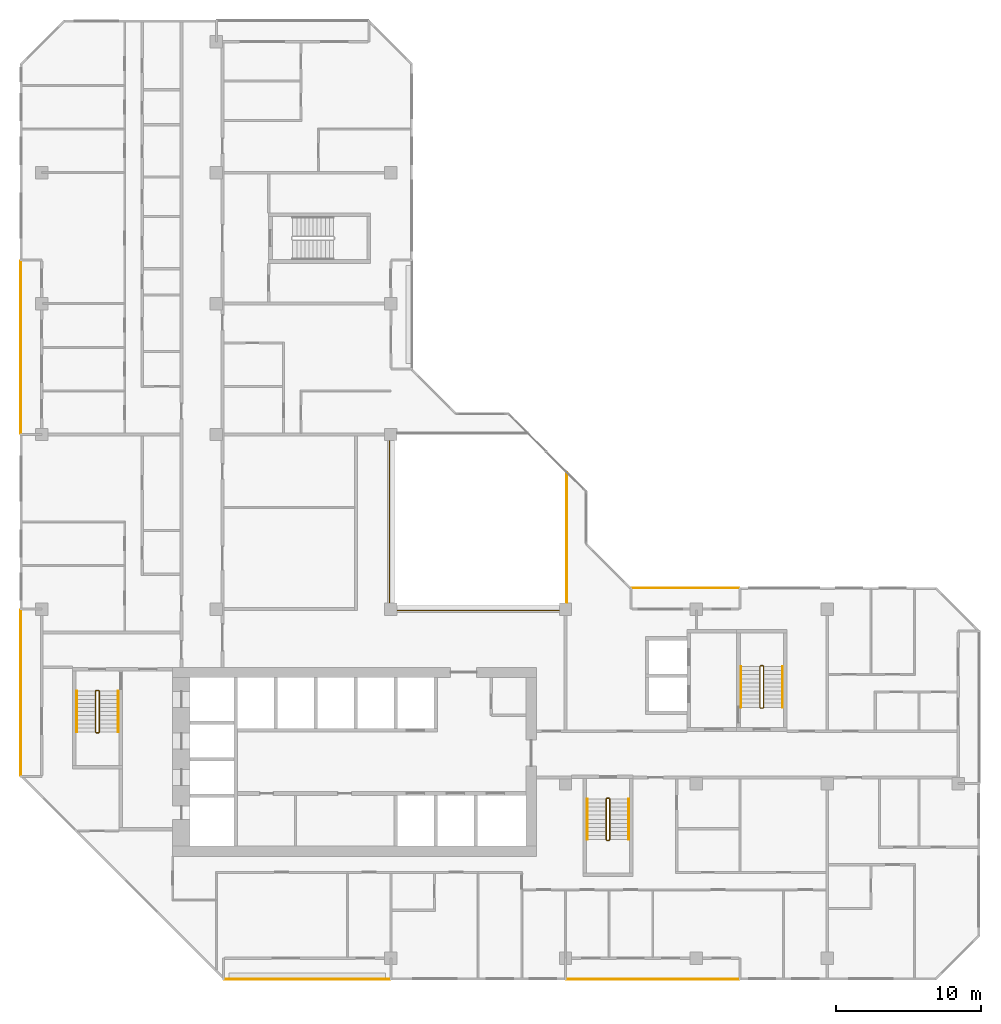
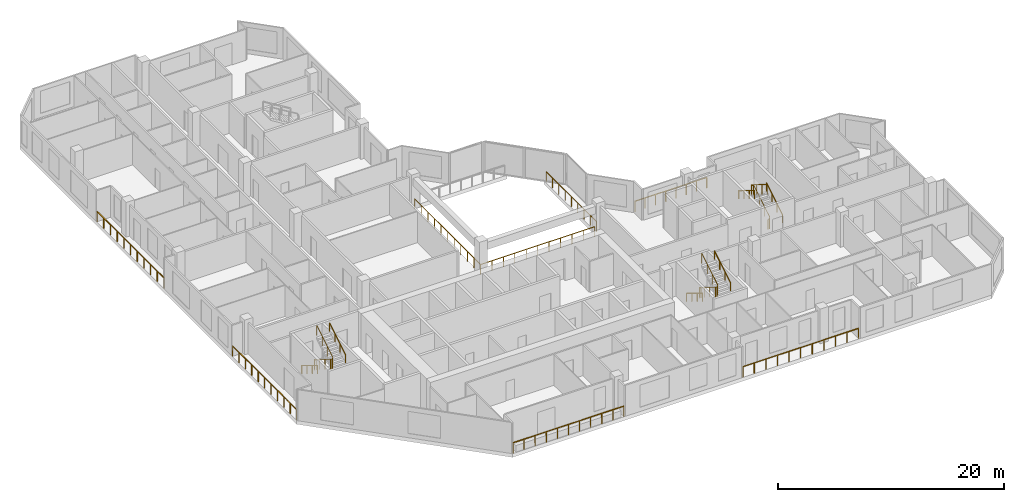
# One storey, part 13 of 14: 16 railings.
"""IFC4 building model written with IfcOpenShell, lengths in metres."""

from ifc_helpers import new_model, si_unit, direction, frame, origin, origin_2d, place, context, subcontext, project, spatial, rectangle, extrude, material, type_object, element, save


model = new_model("IFC4")

# Units and contexts
model_context = context("Model", 3, precision=1e-05, world=origin(), true_north=direction((0.0, 1.0)))
body_context = subcontext(model_context, "Body", "Model", "MODEL_VIEW")
ifc_project = project(units=[si_unit("LENGTHUNIT", "METRE"), si_unit("AREAUNIT", "SQUARE_METRE"), si_unit("VOLUMEUNIT", "CUBIC_METRE"), si_unit("PLANEANGLEUNIT", "RADIAN"), si_unit("MASSUNIT", "GRAM", prefix="KILO")], contexts=[model_context])

# Site, building, storey
site_placement = place(None, origin())
site = spatial("IfcSite", under=ifc_project, at=site_placement, CompositionType="ELEMENT")
building_placement = place(site_placement, origin())
building = spatial("IfcBuilding", under=site, at=building_placement, Name="Chenar Terraces", CompositionType="ELEMENT")
storey_placement = place(building_placement, frame((0.0, 0.0, 230.39990234375)))
storey = spatial("IfcBuildingStorey", under=building, at=storey_placement, Name="L54", CompositionType="ELEMENT", Elevation=230.39990234375)

# Railings
ifc_material_1 = material(Name="Powder-coated steel", Category="steel")
railing_type_1 = type_object("IfcRailingType", Name="Guard 1100 steel rail with glass infill", PredefinedType="GUARDRAIL", material=ifc_material_1)
railing_1_placement = place(storey_placement, frame((23.89990234375, 35.574951171875, 0.0)))
element("IfcRailing", 1, at=railing_1_placement, inside=storey, type_object=railing_type_1, Name="Guard L54-1", PredefinedType="GUARDRAIL", context=body_context, shape_type="SweptSolid", body=[
    extrude(rectangle(XDim=0.06005859375, YDim=0.06005859375, at=origin_2d()), frame((0.0, 0.0, 1.070068359375), z_axis=(0.0, -1.0, 0.0), x_axis=(1.0, 0.0, 0.0)), (0.0, 0.0, 1.0), 11.675048828125),
    extrude(rectangle(XDim=0.06005859375, YDim=0.06005859375, at=origin_2d()), frame((0.0, -11.675048828125, 1.070068359375), z_axis=(1.0, 0.0, 0.0), x_axis=(0.0, 1.0, 0.0)), (0.0, 0.0, 1.0), 11.675048828125),
    extrude(rectangle(XDim=0.050048828125, YDim=0.050048828125, at=origin_2d()), origin(), (0.0, 0.0, 1.0), 1.0400390625),
    extrude(rectangle(XDim=0.050048828125, YDim=0.050048828125, at=origin_2d()), frame((0.0, -1.16748046875, 0.0)), (0.0, 0.0, 1.0), 1.0400390625),
    extrude(rectangle(XDim=0.050048828125, YDim=0.050048828125, at=origin_2d()), frame((0.0, -2.3349609375, 0.0)), (0.0, 0.0, 1.0), 1.0400390625),
    extrude(rectangle(XDim=0.050048828125, YDim=0.050048828125, at=origin_2d()), frame((0.0, -3.50244140625, 0.0)), (0.0, 0.0, 1.0), 1.0400390625),
    extrude(rectangle(XDim=0.050048828125, YDim=0.050048828125, at=origin_2d()), frame((0.0, -4.669921875, 0.0)), (0.0, 0.0, 1.0), 1.0400390625),
    extrude(rectangle(XDim=0.050048828125, YDim=0.050048828125, at=origin_2d()), frame((0.0, -5.83740234375, 0.0)), (0.0, 0.0, 1.0), 1.0400390625),
    extrude(rectangle(XDim=0.050048828125, YDim=0.050048828125, at=origin_2d()), frame((0.0, -7.005126953125, 0.0)), (0.0, 0.0, 1.0), 1.0400390625),
    extrude(rectangle(XDim=0.050048828125, YDim=0.050048828125, at=origin_2d()), frame((0.0, -8.172607421875, 0.0)), (0.0, 0.0, 1.0), 1.0400390625),
    extrude(rectangle(XDim=0.050048828125, YDim=0.050048828125, at=origin_2d()), frame((0.0, -9.340087890625, 0.0)), (0.0, 0.0, 1.0), 1.0400390625),
    extrude(rectangle(XDim=0.050048828125, YDim=0.050048828125, at=origin_2d()), frame((0.0, -10.507568359375, 0.0)), (0.0, 0.0, 1.0), 1.0400390625),
    extrude(rectangle(XDim=0.050048828125, YDim=0.050048828125, at=origin_2d()), frame((0.0, -11.675048828125, 0.0)), (0.0, 0.0, 1.0), 1.0400390625),
    extrude(rectangle(XDim=0.050048828125, YDim=0.050048828125, at=origin_2d()), frame((1.16748046875, -11.675048828125, 0.0)), (0.0, 0.0, 1.0), 1.0400390625),
    extrude(rectangle(XDim=0.050048828125, YDim=0.050048828125, at=origin_2d()), frame((2.3349609375, -11.675048828125, 0.0)), (0.0, 0.0, 1.0), 1.0400390625),
    extrude(rectangle(XDim=0.050048828125, YDim=0.050048828125, at=origin_2d()), frame((3.50244140625, -11.675048828125, 0.0)), (0.0, 0.0, 1.0), 1.0400390625),
    extrude(rectangle(XDim=0.050048828125, YDim=0.050048828125, at=origin_2d()), frame((4.669921875, -11.675048828125, 0.0)), (0.0, 0.0, 1.0), 1.0400390625),
    extrude(rectangle(XDim=0.050048828125, YDim=0.050048828125, at=origin_2d()), frame((5.83740234375, -11.675048828125, 0.0)), (0.0, 0.0, 1.0), 1.0400390625),
    extrude(rectangle(XDim=0.050048828125, YDim=0.050048828125, at=origin_2d()), frame((7.005126953125, -11.675048828125, 0.0)), (0.0, 0.0, 1.0), 1.0400390625),
    extrude(rectangle(XDim=0.050048828125, YDim=0.050048828125, at=origin_2d()), frame((8.172607421875, -11.675048828125, 0.0)), (0.0, 0.0, 1.0), 1.0400390625),
    extrude(rectangle(XDim=0.050048828125, YDim=0.050048828125, at=origin_2d()), frame((9.340087890625, -11.675048828125, 0.0)), (0.0, 0.0, 1.0), 1.0400390625),
    extrude(rectangle(XDim=0.050048828125, YDim=0.050048828125, at=origin_2d()), frame((10.507568359375, -11.675048828125, 0.0)), (0.0, 0.0, 1.0), 1.0400390625),
    extrude(rectangle(XDim=0.050048828125, YDim=0.050048828125, at=origin_2d()), frame((11.675048828125, -11.675048828125, 0.0)), (0.0, 0.0, 1.0), 1.0400390625),
])
railing_2_placement = place(storey_placement, frame((36.10009765625, 24.47509765625, 0.0)))
element("IfcRailing", 2, at=railing_2_placement, inside=storey, type_object=railing_type_1, Name="Guard L54-3", PredefinedType="GUARDRAIL", context=body_context, shape_type="SweptSolid", body=[
    extrude(rectangle(XDim=0.06005859375, YDim=0.06005859375, at=origin_2d()), frame((0.0, 0.0, 1.070068359375), z_axis=(0.0, 1.0, 0.0), x_axis=(-1.0, 0.0, 0.0)), (0.0, 0.0, 1.0), 8.9248046875),
    extrude(rectangle(XDim=0.050048828125, YDim=0.050048828125, at=origin_2d()), origin(), (0.0, 0.0, 1.0), 1.0400390625),
    extrude(rectangle(XDim=0.050048828125, YDim=0.050048828125, at=origin_2d()), frame((0.0, 1.11572265625, 0.0)), (0.0, 0.0, 1.0), 1.0400390625),
    extrude(rectangle(XDim=0.050048828125, YDim=0.050048828125, at=origin_2d()), frame((0.0, 2.231201171875, 0.0)), (0.0, 0.0, 1.0), 1.0400390625),
    extrude(rectangle(XDim=0.050048828125, YDim=0.050048828125, at=origin_2d()), frame((0.0, 3.3466796875, 0.0)), (0.0, 0.0, 1.0), 1.0400390625),
    extrude(rectangle(XDim=0.050048828125, YDim=0.050048828125, at=origin_2d()), frame((0.0, 4.46240234375, 0.0)), (0.0, 0.0, 1.0), 1.0400390625),
    extrude(rectangle(XDim=0.050048828125, YDim=0.050048828125, at=origin_2d()), frame((0.0, 5.578125, 0.0)), (0.0, 0.0, 1.0), 1.0400390625),
    extrude(rectangle(XDim=0.050048828125, YDim=0.050048828125, at=origin_2d()), frame((0.0, 6.693603515625, 0.0)), (0.0, 0.0, 1.0), 1.0400390625),
    extrude(rectangle(XDim=0.050048828125, YDim=0.050048828125, at=origin_2d()), frame((0.0, 7.80908203125, 0.0)), (0.0, 0.0, 1.0), 1.0400390625),
    extrude(rectangle(XDim=0.050048828125, YDim=0.050048828125, at=origin_2d()), frame((0.0, 8.9248046875, 0.0)), (0.0, 0.0, 1.0), 1.0400390625),
])
ifc_material_2 = material(Name="Stainless steel and glass", Category="steel")
railing_type_2 = type_object("IfcRailingType", Name="Loggia guard 1150", PredefinedType="GUARDRAIL", material=ifc_material_2)
railing_3_placement = place(storey_placement, frame((47.925048828125, 25.449951171875, 0.0)))
element("IfcRailing", 3, at=railing_3_placement, inside=storey, type_object=railing_type_2, Name="Loggia guard", PredefinedType="GUARDRAIL", context=body_context, shape_type="SweptSolid", body=[
    extrude(rectangle(XDim=0.048095703125, YDim=0.048095703125, at=origin_2d()), frame((0.0, 0.0, 1.1259765625), z_axis=(-1.0, 0.0, 0.0), x_axis=(0.0, -1.0, 0.0)), (0.0, 0.0, 1.0), 7.35009765625),
    extrude(rectangle(XDim=0.0419921875, YDim=0.0419921875, at=origin_2d()), origin(), (0.0, 0.0, 1.0), 1.101806640625),
    extrude(rectangle(XDim=0.0419921875, YDim=0.0419921875, at=origin_2d()), frame((-1.050048828125, 0.0, 0.0)), (0.0, 0.0, 1.0), 1.101806640625),
    extrude(rectangle(XDim=0.0419921875, YDim=0.0419921875, at=origin_2d()), frame((-2.10009765625, 0.0, 0.0)), (0.0, 0.0, 1.0), 1.101806640625),
    extrude(rectangle(XDim=0.0419921875, YDim=0.0419921875, at=origin_2d()), frame((-3.150146484375, 0.0, 0.0)), (0.0, 0.0, 1.0), 1.101806640625),
    extrude(rectangle(XDim=0.0419921875, YDim=0.0419921875, at=origin_2d()), frame((-4.199951171875, 0.0, 0.0)), (0.0, 0.0, 1.0), 1.101806640625),
    extrude(rectangle(XDim=0.0419921875, YDim=0.0419921875, at=origin_2d()), frame((-5.25, 0.0, 0.0)), (0.0, 0.0, 1.0), 1.101806640625),
    extrude(rectangle(XDim=0.0419921875, YDim=0.0419921875, at=origin_2d()), frame((-6.300048828125, 0.0, 0.0)), (0.0, 0.0, 1.0), 1.101806640625),
    extrude(rectangle(XDim=0.0419921875, YDim=0.0419921875, at=origin_2d()), frame((-7.35009765625, 0.0, 0.0)), (0.0, 0.0, 1.0), 1.101806640625),
])
railing_4_placement = place(storey_placement, frame((12.574951171875, -1.449951171875, 0.0)))
element("IfcRailing", 4, at=railing_4_placement, inside=storey, type_object=railing_type_2, Name="Loggia guard", PredefinedType="GUARDRAIL", context=body_context, shape_type="SweptSolid", body=[
    extrude(rectangle(XDim=0.048095703125, YDim=0.048095703125, at=origin_2d()), frame((0.0, 0.0, 1.1259765625), z_axis=(1.0, 0.0, 0.0), x_axis=(0.0, 1.0, 0.0)), (0.0, 0.0, 1.0), 11.35009765625),
    extrude(rectangle(XDim=0.0419921875, YDim=0.0419921875, at=origin_2d()), origin(), (0.0, 0.0, 1.0), 1.101806640625),
    extrude(rectangle(XDim=0.0419921875, YDim=0.0419921875, at=origin_2d()), frame((1.135009765625, 0.0, 0.0)), (0.0, 0.0, 1.0), 1.101806640625),
    extrude(rectangle(XDim=0.0419921875, YDim=0.0419921875, at=origin_2d()), frame((2.27001953125, 0.0, 0.0)), (0.0, 0.0, 1.0), 1.101806640625),
    extrude(rectangle(XDim=0.0419921875, YDim=0.0419921875, at=origin_2d()), frame((3.405029296875, 0.0, 0.0)), (0.0, 0.0, 1.0), 1.101806640625),
    extrude(rectangle(XDim=0.0419921875, YDim=0.0419921875, at=origin_2d()), frame((4.5400390625, 0.0, 0.0)), (0.0, 0.0, 1.0), 1.101806640625),
    extrude(rectangle(XDim=0.0419921875, YDim=0.0419921875, at=origin_2d()), frame((5.675048828125, 0.0, 0.0)), (0.0, 0.0, 1.0), 1.101806640625),
    extrude(rectangle(XDim=0.0419921875, YDim=0.0419921875, at=origin_2d()), frame((6.81005859375, 0.0, 0.0)), (0.0, 0.0, 1.0), 1.101806640625),
    extrude(rectangle(XDim=0.0419921875, YDim=0.0419921875, at=origin_2d()), frame((7.945068359375, 0.0, 0.0)), (0.0, 0.0, 1.0), 1.101806640625),
    extrude(rectangle(XDim=0.0419921875, YDim=0.0419921875, at=origin_2d()), frame((9.080078125, 0.0, 0.0)), (0.0, 0.0, 1.0), 1.101806640625),
    extrude(rectangle(XDim=0.0419921875, YDim=0.0419921875, at=origin_2d()), frame((10.215087890625, 0.0, 0.0)), (0.0, 0.0, 1.0), 1.101806640625),
    extrude(rectangle(XDim=0.0419921875, YDim=0.0419921875, at=origin_2d()), frame((11.35009765625, 0.0, 0.0)), (0.0, 0.0, 1.0), 1.101806640625),
])
railing_5_placement = place(storey_placement, frame((36.074951171875, -1.449951171875, 0.0)))
element("IfcRailing", 5, at=railing_5_placement, inside=storey, type_object=railing_type_2, Name="Loggia guard", PredefinedType="GUARDRAIL", context=body_context, shape_type="SweptSolid", body=[
    extrude(rectangle(XDim=0.048095703125, YDim=0.048095703125, at=origin_2d()), frame((0.0, 0.0, 1.1259765625), z_axis=(1.0, 0.0, 0.0), x_axis=(0.0, 1.0, 0.0)), (0.0, 0.0, 1.0), 11.85009765625),
    extrude(rectangle(XDim=0.0419921875, YDim=0.0419921875, at=origin_2d()), origin(), (0.0, 0.0, 1.0), 1.101806640625),
    extrude(rectangle(XDim=0.0419921875, YDim=0.0419921875, at=origin_2d()), frame((1.18505859375, 0.0, 0.0)), (0.0, 0.0, 1.0), 1.101806640625),
    extrude(rectangle(XDim=0.0419921875, YDim=0.0419921875, at=origin_2d()), frame((2.3701171875, 0.0, 0.0)), (0.0, 0.0, 1.0), 1.101806640625),
    extrude(rectangle(XDim=0.0419921875, YDim=0.0419921875, at=origin_2d()), frame((3.554931640625, 0.0, 0.0)), (0.0, 0.0, 1.0), 1.101806640625),
    extrude(rectangle(XDim=0.0419921875, YDim=0.0419921875, at=origin_2d()), frame((4.739990234375, 0.0, 0.0)), (0.0, 0.0, 1.0), 1.101806640625),
    extrude(rectangle(XDim=0.0419921875, YDim=0.0419921875, at=origin_2d()), frame((5.925048828125, 0.0, 0.0)), (0.0, 0.0, 1.0), 1.101806640625),
    extrude(rectangle(XDim=0.0419921875, YDim=0.0419921875, at=origin_2d()), frame((7.110107421875, 0.0, 0.0)), (0.0, 0.0, 1.0), 1.101806640625),
    extrude(rectangle(XDim=0.0419921875, YDim=0.0419921875, at=origin_2d()), frame((8.295166015625, 0.0, 0.0)), (0.0, 0.0, 1.0), 1.101806640625),
    extrude(rectangle(XDim=0.0419921875, YDim=0.0419921875, at=origin_2d()), frame((9.47998046875, 0.0, 0.0)), (0.0, 0.0, 1.0), 1.101806640625),
    extrude(rectangle(XDim=0.0419921875, YDim=0.0419921875, at=origin_2d()), frame((10.6650390625, 0.0, 0.0)), (0.0, 0.0, 1.0), 1.101806640625),
    extrude(rectangle(XDim=0.0419921875, YDim=0.0419921875, at=origin_2d()), frame((11.85009765625, 0.0, 0.0)), (0.0, 0.0, 1.0), 1.101806640625),
])
railing_6_placement = place(storey_placement, frame((-1.449951171875, 47.925048828125, 0.0)))
element("IfcRailing", 6, at=railing_6_placement, inside=storey, type_object=railing_type_2, Name="Loggia guard", PredefinedType="GUARDRAIL", context=body_context, shape_type="SweptSolid", body=[
    extrude(rectangle(XDim=0.048095703125, YDim=0.048095703125, at=origin_2d()), frame((0.0, 0.0, 1.1259765625), z_axis=(0.0, -1.0, 0.0), x_axis=(1.0, 0.0, 0.0)), (0.0, 0.0, 1.0), 11.85009765625),
    extrude(rectangle(XDim=0.0419921875, YDim=0.0419921875, at=origin_2d()), origin(), (0.0, 0.0, 1.0), 1.101806640625),
    extrude(rectangle(XDim=0.0419921875, YDim=0.0419921875, at=origin_2d()), frame((0.0, -1.18505859375, 0.0)), (0.0, 0.0, 1.0), 1.101806640625),
    extrude(rectangle(XDim=0.0419921875, YDim=0.0419921875, at=origin_2d()), frame((0.0, -2.3701171875, 0.0)), (0.0, 0.0, 1.0), 1.101806640625),
    extrude(rectangle(XDim=0.0419921875, YDim=0.0419921875, at=origin_2d()), frame((0.0, -3.554931640625, 0.0)), (0.0, 0.0, 1.0), 1.101806640625),
    extrude(rectangle(XDim=0.0419921875, YDim=0.0419921875, at=origin_2d()), frame((0.0, -4.739990234375, 0.0)), (0.0, 0.0, 1.0), 1.101806640625),
    extrude(rectangle(XDim=0.0419921875, YDim=0.0419921875, at=origin_2d()), frame((0.0, -5.925048828125, 0.0)), (0.0, 0.0, 1.0), 1.101806640625),
    extrude(rectangle(XDim=0.0419921875, YDim=0.0419921875, at=origin_2d()), frame((0.0, -7.110107421875, 0.0)), (0.0, 0.0, 1.0), 1.101806640625),
    extrude(rectangle(XDim=0.0419921875, YDim=0.0419921875, at=origin_2d()), frame((0.0, -8.295166015625, 0.0)), (0.0, 0.0, 1.0), 1.101806640625),
    extrude(rectangle(XDim=0.0419921875, YDim=0.0419921875, at=origin_2d()), frame((0.0, -9.47998046875, 0.0)), (0.0, 0.0, 1.0), 1.101806640625),
    extrude(rectangle(XDim=0.0419921875, YDim=0.0419921875, at=origin_2d()), frame((0.0, -10.6650390625, 0.0)), (0.0, 0.0, 1.0), 1.101806640625),
    extrude(rectangle(XDim=0.0419921875, YDim=0.0419921875, at=origin_2d()), frame((0.0, -11.85009765625, 0.0)), (0.0, 0.0, 1.0), 1.101806640625),
])
railing_7_placement = place(storey_placement, frame((-1.449951171875, 23.925048828125, 0.0)))
element("IfcRailing", 7, at=railing_7_placement, inside=storey, type_object=railing_type_2, Name="Loggia guard", PredefinedType="GUARDRAIL", context=body_context, shape_type="SweptSolid", body=[
    extrude(rectangle(XDim=0.048095703125, YDim=0.048095703125, at=origin_2d()), frame((0.0, 0.0, 1.1259765625), z_axis=(0.0, -1.0, 0.0), x_axis=(1.0, 0.0, 0.0)), (0.0, 0.0, 1.0), 11.35009765625),
    extrude(rectangle(XDim=0.0419921875, YDim=0.0419921875, at=origin_2d()), origin(), (0.0, 0.0, 1.0), 1.101806640625),
    extrude(rectangle(XDim=0.0419921875, YDim=0.0419921875, at=origin_2d()), frame((0.0, -1.135009765625, 0.0)), (0.0, 0.0, 1.0), 1.101806640625),
    extrude(rectangle(XDim=0.0419921875, YDim=0.0419921875, at=origin_2d()), frame((0.0, -2.27001953125, 0.0)), (0.0, 0.0, 1.0), 1.101806640625),
    extrude(rectangle(XDim=0.0419921875, YDim=0.0419921875, at=origin_2d()), frame((0.0, -3.405029296875, 0.0)), (0.0, 0.0, 1.0), 1.101806640625),
    extrude(rectangle(XDim=0.0419921875, YDim=0.0419921875, at=origin_2d()), frame((0.0, -4.5400390625, 0.0)), (0.0, 0.0, 1.0), 1.101806640625),
    extrude(rectangle(XDim=0.0419921875, YDim=0.0419921875, at=origin_2d()), frame((0.0, -5.675048828125, 0.0)), (0.0, 0.0, 1.0), 1.101806640625),
    extrude(rectangle(XDim=0.0419921875, YDim=0.0419921875, at=origin_2d()), frame((0.0, -6.81005859375, 0.0)), (0.0, 0.0, 1.0), 1.101806640625),
    extrude(rectangle(XDim=0.0419921875, YDim=0.0419921875, at=origin_2d()), frame((0.0, -7.945068359375, 0.0)), (0.0, 0.0, 1.0), 1.101806640625),
    extrude(rectangle(XDim=0.0419921875, YDim=0.0419921875, at=origin_2d()), frame((0.0, -9.080078125, 0.0)), (0.0, 0.0, 1.0), 1.101806640625),
    extrude(rectangle(XDim=0.0419921875, YDim=0.0419921875, at=origin_2d()), frame((0.0, -10.215087890625, 0.0)), (0.0, 0.0, 1.0), 1.101806640625),
    extrude(rectangle(XDim=0.0419921875, YDim=0.0419921875, at=origin_2d()), frame((0.0, -11.35009765625, 0.0)), (0.0, 0.0, 1.0), 1.101806640625),
])
ifc_material_3 = material(Name="Powder-coated steel", Category="steel")
railing_type_3 = type_object("IfcRailingType", Name="Stair guard 1100", PredefinedType="GUARDRAIL", material=ifc_material_3)
railing_8_placement = place(storey_placement, frame((3.949951171875, 18.35009765625, 3.75)))
element("IfcRailing", 8, at=railing_8_placement, inside=storey, type_object=railing_type_3, Name="L54 ST1 stair guard 1", PredefinedType="GUARDRAIL", context=body_context, shape_type="SweptSolid", body=[
    extrude(rectangle(XDim=0.048095703125, YDim=0.048095703125, at=origin_2d()), frame((0.0, 0.0, 1.076171875), z_axis=(0.0, -0.854202870247, -0.519939858505), x_axis=(1.0, 0.0, 0.0)), (0.0, 0.0, 1.0), 3.278076171875),
    extrude(rectangle(XDim=0.048095703125, YDim=0.048095703125, at=origin_2d()), frame((0.0, -2.800048828125, -0.62841796875), z_axis=(-0.270899902878, -0.270899902878, -0.923702595667), x_axis=(0.707106781187, -0.707106781187, 0.0)), (0.0, 0.0, 1.0), 0.184814453125),
    extrude(rectangle(XDim=0.048095703125, YDim=0.048095703125, at=origin_2d()), frame((-0.050048828125, -2.85009765625, -0.798828125), z_axis=(-1.0, 0.0, 0.0), x_axis=(0.0, -1.0, 0.0)), (0.0, 0.0, 1.0), 0.14990234375),
    extrude(rectangle(XDim=0.048095703125, YDim=0.048095703125, at=origin_2d()), frame((-0.199951171875, -2.85009765625, -0.798828125), z_axis=(-0.707106781187, 0.707106781187, 0.0), x_axis=(-0.707106781187, -0.707106781187, 0.0)), (0.0, 0.0, 1.0), 0.07080078125),
    extrude(rectangle(XDim=0.048095703125, YDim=0.048095703125, at=origin_2d()), frame((-0.25, -2.800048828125, -0.798828125), z_axis=(0.0, 0.854202870247, -0.519939858505), x_axis=(-1.0, 0.0, 0.0)), (0.0, 0.0, 1.0), 3.278076171875),
    extrude(rectangle(XDim=0.048095703125, YDim=0.048095703125, at=origin_2d()), frame((-0.25, 0.0, -2.50341796875), z_axis=(0.270996696079, 0.269674760976, -0.924032636873), x_axis=(-0.705375805398, 0.708833529934, 0.0)), (0.0, 0.0, 1.0), 0.1845703125),
    extrude(rectangle(XDim=0.048095703125, YDim=0.048095703125, at=origin_2d()), frame((-0.199951171875, 0.0498046875, -2.673828125), z_axis=(1.0, 0.0, 0.0), x_axis=(0.0, 1.0, 0.0)), (0.0, 0.0, 1.0), 0.14990234375),
    extrude(rectangle(XDim=0.0419921875, YDim=0.0419921875, at=origin_2d()), origin(), (0.0, 0.0, 1.0), 1.052001953125),
    extrude(rectangle(XDim=0.0419921875, YDim=0.0419921875, at=origin_2d()), frame((0.0, -0.933349609375, -0.568115234375)), (0.0, 0.0, 1.0), 1.052001953125),
    extrude(rectangle(XDim=0.0419921875, YDim=0.0419921875, at=origin_2d()), frame((0.0, -1.86669921875, -1.13623046875)), (0.0, 0.0, 1.0), 1.052001953125),
    extrude(rectangle(XDim=0.0419921875, YDim=0.0419921875, at=origin_2d()), frame((0.0, -2.800048828125, -1.704345703125)), (0.0, 0.0, 1.0), 1.052001953125),
    extrude(rectangle(XDim=0.0419921875, YDim=0.0419921875, at=origin_2d()), frame((-0.050048828125, -2.85009765625, -1.875)), (0.0, 0.0, 1.0), 1.052001953125),
    extrude(rectangle(XDim=0.0419921875, YDim=0.0419921875, at=origin_2d()), frame((-0.199951171875, -2.85009765625, -1.875)), (0.0, 0.0, 1.0), 1.052001953125),
    extrude(rectangle(XDim=0.0419921875, YDim=0.0419921875, at=origin_2d()), frame((-0.25, -2.800048828125, -1.875)), (0.0, 0.0, 1.0), 1.052001953125),
    extrude(rectangle(XDim=0.0419921875, YDim=0.0419921875, at=origin_2d()), frame((-0.25, -1.86669921875, -2.443115234375)), (0.0, 0.0, 1.0), 1.052001953125),
    extrude(rectangle(XDim=0.0419921875, YDim=0.0419921875, at=origin_2d()), frame((-0.25, -0.933349609375, -3.01123046875)), (0.0, 0.0, 1.0), 1.052001953125),
    extrude(rectangle(XDim=0.0419921875, YDim=0.0419921875, at=origin_2d()), frame((-0.25, 0.0, -3.579345703125)), (0.0, 0.0, 1.0), 1.052001953125),
    extrude(rectangle(XDim=0.0419921875, YDim=0.0419921875, at=origin_2d()), frame((-0.199951171875, 0.0498046875, -3.75)), (0.0, 0.0, 1.0), 1.052001953125),
    extrude(rectangle(XDim=0.0419921875, YDim=0.0419921875, at=origin_2d()), frame((-0.050048828125, 0.0498046875, -3.75)), (0.0, 0.0, 1.0), 1.052001953125),
])
railing_9_placement = place(storey_placement, frame((39.050048828125, 10.949951171875, 3.75)))
element("IfcRailing", 9, at=railing_9_placement, inside=storey, type_object=railing_type_3, Name="L54 ST2 stair guard 1", PredefinedType="GUARDRAIL", context=body_context, shape_type="SweptSolid", body=[
    extrude(rectangle(XDim=0.048095703125, YDim=0.048095703125, at=origin_2d()), frame((0.0, 0.0, 1.076171875), z_axis=(0.0, -0.854202870247, -0.519939858505), x_axis=(1.0, 0.0, 0.0)), (0.0, 0.0, 1.0), 3.278076171875),
    extrude(rectangle(XDim=0.048095703125, YDim=0.048095703125, at=origin_2d()), frame((0.0, -2.800048828125, -0.62841796875), z_axis=(-0.270996696079, -0.269674760976, -0.924032636873), x_axis=(0.705375805398, -0.708833529934, 0.0)), (0.0, 0.0, 1.0), 0.1845703125),
    extrude(rectangle(XDim=0.048095703125, YDim=0.048095703125, at=origin_2d()), frame((-0.050048828125, -2.849853515625, -0.798828125), z_axis=(-1.0, 0.0, 0.0), x_axis=(0.0, -1.0, 0.0)), (0.0, 0.0, 1.0), 0.14990234375),
    extrude(rectangle(XDim=0.048095703125, YDim=0.048095703125, at=origin_2d()), frame((-0.199951171875, -2.849853515625, -0.798828125), z_axis=(-0.708833529934, 0.705375805398, 0.0), x_axis=(-0.705375805398, -0.708833529934, 0.0)), (0.0, 0.0, 1.0), 0.070556640625),
    extrude(rectangle(XDim=0.048095703125, YDim=0.048095703125, at=origin_2d()), frame((-0.25, -2.800048828125, -0.798828125), z_axis=(0.0, 0.854202870247, -0.519939858505), x_axis=(-1.0, 0.0, 0.0)), (0.0, 0.0, 1.0), 3.278076171875),
    extrude(rectangle(XDim=0.048095703125, YDim=0.048095703125, at=origin_2d()), frame((-0.25, 0.0, -2.50341796875), z_axis=(0.270899902878, 0.270899902878, -0.923702595667), x_axis=(-0.707106781187, 0.707106781187, 0.0)), (0.0, 0.0, 1.0), 0.184814453125),
    extrude(rectangle(XDim=0.048095703125, YDim=0.048095703125, at=origin_2d()), frame((-0.199951171875, 0.050048828125, -2.673828125), z_axis=(1.0, 0.0, 0.0), x_axis=(0.0, 1.0, 0.0)), (0.0, 0.0, 1.0), 0.14990234375),
    extrude(rectangle(XDim=0.0419921875, YDim=0.0419921875, at=origin_2d()), origin(), (0.0, 0.0, 1.0), 1.052001953125),
    extrude(rectangle(XDim=0.0419921875, YDim=0.0419921875, at=origin_2d()), frame((0.0, -0.933349609375, -0.568115234375)), (0.0, 0.0, 1.0), 1.052001953125),
    extrude(rectangle(XDim=0.0419921875, YDim=0.0419921875, at=origin_2d()), frame((0.0, -1.86669921875, -1.13623046875)), (0.0, 0.0, 1.0), 1.052001953125),
    extrude(rectangle(XDim=0.0419921875, YDim=0.0419921875, at=origin_2d()), frame((0.0, -2.800048828125, -1.704345703125)), (0.0, 0.0, 1.0), 1.052001953125),
    extrude(rectangle(XDim=0.0419921875, YDim=0.0419921875, at=origin_2d()), frame((-0.050048828125, -2.849853515625, -1.875)), (0.0, 0.0, 1.0), 1.052001953125),
    extrude(rectangle(XDim=0.0419921875, YDim=0.0419921875, at=origin_2d()), frame((-0.199951171875, -2.849853515625, -1.875)), (0.0, 0.0, 1.0), 1.052001953125),
    extrude(rectangle(XDim=0.0419921875, YDim=0.0419921875, at=origin_2d()), frame((-0.25, -2.800048828125, -1.875)), (0.0, 0.0, 1.0), 1.052001953125),
    extrude(rectangle(XDim=0.0419921875, YDim=0.0419921875, at=origin_2d()), frame((-0.25, -1.86669921875, -2.443115234375)), (0.0, 0.0, 1.0), 1.052001953125),
    extrude(rectangle(XDim=0.0419921875, YDim=0.0419921875, at=origin_2d()), frame((-0.25, -0.933349609375, -3.01123046875)), (0.0, 0.0, 1.0), 1.052001953125),
    extrude(rectangle(XDim=0.0419921875, YDim=0.0419921875, at=origin_2d()), frame((-0.25, 0.0, -3.579345703125)), (0.0, 0.0, 1.0), 1.052001953125),
    extrude(rectangle(XDim=0.0419921875, YDim=0.0419921875, at=origin_2d()), frame((-0.199951171875, 0.050048828125, -3.75)), (0.0, 0.0, 1.0), 1.052001953125),
    extrude(rectangle(XDim=0.0419921875, YDim=0.0419921875, at=origin_2d()), frame((-0.050048828125, 0.050048828125, -3.75)), (0.0, 0.0, 1.0), 1.052001953125),
])
railing_10_placement = place(storey_placement, frame((49.375, 17.25, 3.75)))
element("IfcRailing", 10, at=railing_10_placement, inside=storey, type_object=railing_type_3, Name="L54 ST3 stair guard 1", PredefinedType="GUARDRAIL", context=body_context, shape_type="SweptSolid", body=[
    extrude(rectangle(XDim=0.048095703125, YDim=0.048095703125, at=origin_2d()), frame((0.0, 0.0, 1.076171875), z_axis=(0.0, 0.854202870247, -0.519939858505), x_axis=(-1.0, 0.0, 0.0)), (0.0, 0.0, 1.0), 3.278076171875),
    extrude(rectangle(XDim=0.048095703125, YDim=0.048095703125, at=origin_2d()), frame((0.0, 2.800048828125, -0.62841796875), z_axis=(0.270899902878, 0.270899902878, -0.923702595667), x_axis=(-0.707106781187, 0.707106781187, 0.0)), (0.0, 0.0, 1.0), 0.184814453125),
    extrude(rectangle(XDim=0.048095703125, YDim=0.048095703125, at=origin_2d()), frame((0.050048828125, 2.85009765625, -0.798828125), z_axis=(1.0, 0.0, 0.0), x_axis=(0.0, 1.0, 0.0)), (0.0, 0.0, 1.0), 0.14990234375),
    extrude(rectangle(XDim=0.048095703125, YDim=0.048095703125, at=origin_2d()), frame((0.199951171875, 2.85009765625, -0.798828125), z_axis=(0.707106781187, -0.707106781187, 0.0), x_axis=(0.707106781187, 0.707106781187, 0.0)), (0.0, 0.0, 1.0), 0.07080078125),
    extrude(rectangle(XDim=0.048095703125, YDim=0.048095703125, at=origin_2d()), frame((0.25, 2.800048828125, -0.798828125), z_axis=(0.0, -0.854202870247, -0.519939858505), x_axis=(1.0, 0.0, 0.0)), (0.0, 0.0, 1.0), 3.278076171875),
    extrude(rectangle(XDim=0.048095703125, YDim=0.048095703125, at=origin_2d()), frame((0.25, 0.0, -2.50341796875), z_axis=(-0.270899902878, -0.270899902878, -0.923702595667), x_axis=(0.707106781187, -0.707106781187, 0.0)), (0.0, 0.0, 1.0), 0.184814453125),
    extrude(rectangle(XDim=0.048095703125, YDim=0.048095703125, at=origin_2d()), frame((0.199951171875, -0.050048828125, -2.673828125), z_axis=(-1.0, 0.0, 0.0), x_axis=(0.0, -1.0, 0.0)), (0.0, 0.0, 1.0), 0.14990234375),
    extrude(rectangle(XDim=0.0419921875, YDim=0.0419921875, at=origin_2d()), origin(), (0.0, 0.0, 1.0), 1.052001953125),
    extrude(rectangle(XDim=0.0419921875, YDim=0.0419921875, at=origin_2d()), frame((0.0, 0.933349609375, -0.568115234375)), (0.0, 0.0, 1.0), 1.052001953125),
    extrude(rectangle(XDim=0.0419921875, YDim=0.0419921875, at=origin_2d()), frame((0.0, 1.86669921875, -1.13623046875)), (0.0, 0.0, 1.0), 1.052001953125),
    extrude(rectangle(XDim=0.0419921875, YDim=0.0419921875, at=origin_2d()), frame((0.0, 2.800048828125, -1.704345703125)), (0.0, 0.0, 1.0), 1.052001953125),
    extrude(rectangle(XDim=0.0419921875, YDim=0.0419921875, at=origin_2d()), frame((0.050048828125, 2.85009765625, -1.875)), (0.0, 0.0, 1.0), 1.052001953125),
    extrude(rectangle(XDim=0.0419921875, YDim=0.0419921875, at=origin_2d()), frame((0.199951171875, 2.85009765625, -1.875)), (0.0, 0.0, 1.0), 1.052001953125),
    extrude(rectangle(XDim=0.0419921875, YDim=0.0419921875, at=origin_2d()), frame((0.25, 2.800048828125, -1.875)), (0.0, 0.0, 1.0), 1.052001953125),
    extrude(rectangle(XDim=0.0419921875, YDim=0.0419921875, at=origin_2d()), frame((0.25, 1.86669921875, -2.443115234375)), (0.0, 0.0, 1.0), 1.052001953125),
    extrude(rectangle(XDim=0.0419921875, YDim=0.0419921875, at=origin_2d()), frame((0.25, 0.933349609375, -3.01123046875)), (0.0, 0.0, 1.0), 1.052001953125),
    extrude(rectangle(XDim=0.0419921875, YDim=0.0419921875, at=origin_2d()), frame((0.25, 0.0, -3.579345703125)), (0.0, 0.0, 1.0), 1.052001953125),
    extrude(rectangle(XDim=0.0419921875, YDim=0.0419921875, at=origin_2d()), frame((0.199951171875, -0.050048828125, -3.75)), (0.0, 0.0, 1.0), 1.052001953125),
    extrude(rectangle(XDim=0.0419921875, YDim=0.0419921875, at=origin_2d()), frame((0.050048828125, -0.050048828125, -3.75)), (0.0, 0.0, 1.0), 1.052001953125),
])
ifc_material_4 = material(Name="Powder-coated steel", Category="steel")
railing_type_4 = type_object("IfcRailingType", Name="Stair handrail 900", PredefinedType="HANDRAIL", material=ifc_material_4)
railing_11_placement = place(storey_placement, frame((2.39990234375, 18.35009765625, 0.170654296875)))
element("IfcRailing", 11, at=railing_11_placement, inside=storey, type_object=railing_type_4, Name="L54 ST1 stair handrail 1", PredefinedType="HANDRAIL", context=body_context, shape_type="SweptSolid", body=[
    extrude(rectangle(XDim=0.048095703125, YDim=0.048095703125, at=origin_2d()), frame((0.0, 0.0, 0.8759765625), z_axis=(0.0, -0.854202870247, 0.519939858505), x_axis=(1.0, 0.0, 0.0)), (0.0, 0.0, 1.0), 3.278076171875),
    extrude(rectangle(XDim=0.0419921875, YDim=0.0419921875, at=origin_2d()), origin(), (0.0, 0.0, 1.0), 0.851806640625),
    extrude(rectangle(XDim=0.0419921875, YDim=0.0419921875, at=origin_2d()), frame((0.0, -0.933349609375, 0.568115234375)), (0.0, 0.0, 1.0), 0.851806640625),
    extrude(rectangle(XDim=0.0419921875, YDim=0.0419921875, at=origin_2d()), frame((0.0, -1.86669921875, 1.13623046875)), (0.0, 0.0, 1.0), 0.851806640625),
    extrude(rectangle(XDim=0.0419921875, YDim=0.0419921875, at=origin_2d()), frame((0.0, -2.800048828125, 1.704345703125)), (0.0, 0.0, 1.0), 0.851806640625),
])
railing_12_placement = place(storey_placement, frame((5.25, 15.550048828125, 2.045654296875)))
element("IfcRailing", 12, at=railing_12_placement, inside=storey, type_object=railing_type_4, Name="L54 ST1 stair handrail 2", PredefinedType="HANDRAIL", context=body_context, shape_type="SweptSolid", body=[
    extrude(rectangle(XDim=0.048095703125, YDim=0.048095703125, at=origin_2d()), frame((0.0, 0.0, 0.8759765625), z_axis=(0.0, 0.854202870247, 0.519939858505), x_axis=(-1.0, 0.0, 0.0)), (0.0, 0.0, 1.0), 3.278076171875),
    extrude(rectangle(XDim=0.0419921875, YDim=0.0419921875, at=origin_2d()), origin(), (0.0, 0.0, 1.0), 0.851806640625),
    extrude(rectangle(XDim=0.0419921875, YDim=0.0419921875, at=origin_2d()), frame((0.0, 0.933349609375, 0.568115234375)), (0.0, 0.0, 1.0), 0.851806640625),
    extrude(rectangle(XDim=0.0419921875, YDim=0.0419921875, at=origin_2d()), frame((0.0, 1.86669921875, 1.13623046875)), (0.0, 0.0, 1.0), 0.851806640625),
    extrude(rectangle(XDim=0.0419921875, YDim=0.0419921875, at=origin_2d()), frame((0.0, 2.800048828125, 1.704345703125)), (0.0, 0.0, 1.0), 0.851806640625),
])
railing_13_placement = place(storey_placement, frame((37.5, 10.949951171875, 0.170654296875)))
element("IfcRailing", 13, at=railing_13_placement, inside=storey, type_object=railing_type_4, Name="L54 ST2 stair handrail 1", PredefinedType="HANDRAIL", context=body_context, shape_type="SweptSolid", body=[
    extrude(rectangle(XDim=0.048095703125, YDim=0.048095703125, at=origin_2d()), frame((0.0, 0.0, 0.8759765625), z_axis=(0.0, -0.854202870247, 0.519939858505), x_axis=(1.0, 0.0, 0.0)), (0.0, 0.0, 1.0), 3.278076171875),
    extrude(rectangle(XDim=0.0419921875, YDim=0.0419921875, at=origin_2d()), origin(), (0.0, 0.0, 1.0), 0.851806640625),
    extrude(rectangle(XDim=0.0419921875, YDim=0.0419921875, at=origin_2d()), frame((0.0, -0.933349609375, 0.568115234375)), (0.0, 0.0, 1.0), 0.851806640625),
    extrude(rectangle(XDim=0.0419921875, YDim=0.0419921875, at=origin_2d()), frame((0.0, -1.86669921875, 1.13623046875)), (0.0, 0.0, 1.0), 0.851806640625),
    extrude(rectangle(XDim=0.0419921875, YDim=0.0419921875, at=origin_2d()), frame((0.0, -2.800048828125, 1.704345703125)), (0.0, 0.0, 1.0), 0.851806640625),
])
for number, where, name in (
    (14, (40.35009765625, 8.14990234375, 2.045654296875), "L54 ST2 stair handrail 2"),
    (15, (50.925048828125, 17.25, 0.170654296875), "L54 ST3 stair handrail 1"),
):
    element("IfcRailing", number, at=place(storey_placement, frame(where)), inside=storey, type_object=railing_type_4, Name=name, PredefinedType="HANDRAIL", context=body_context, shape_type="SweptSolid", body=[
        extrude(rectangle(XDim=0.048095703125, YDim=0.048095703125, at=origin_2d()), frame((0.0, 0.0, 0.8759765625), z_axis=(0.0, 0.854202870247, 0.519939858505), x_axis=(-1.0, 0.0, 0.0)), (0.0, 0.0, 1.0), 3.278076171875),
        extrude(rectangle(XDim=0.0419921875, YDim=0.0419921875, at=origin_2d()), origin(), (0.0, 0.0, 1.0), 0.851806640625),
        extrude(rectangle(XDim=0.0419921875, YDim=0.0419921875, at=origin_2d()), frame((0.0, 0.933349609375, 0.568115234375)), (0.0, 0.0, 1.0), 0.851806640625),
        extrude(rectangle(XDim=0.0419921875, YDim=0.0419921875, at=origin_2d()), frame((0.0, 1.86669921875, 1.13623046875)), (0.0, 0.0, 1.0), 0.851806640625),
        extrude(rectangle(XDim=0.0419921875, YDim=0.0419921875, at=origin_2d()), frame((0.0, 2.800048828125, 1.704345703125)), (0.0, 0.0, 1.0), 0.851806640625),
    ])
railing_14_placement = place(storey_placement, frame((48.074951171875, 20.050048828125, 2.045654296875)))
element("IfcRailing", 16, at=railing_14_placement, inside=storey, type_object=railing_type_4, Name="L54 ST3 stair handrail 2", PredefinedType="HANDRAIL", context=body_context, shape_type="SweptSolid", body=[
    extrude(rectangle(XDim=0.048095703125, YDim=0.048095703125, at=origin_2d()), frame((0.0, 0.0, 0.8759765625), z_axis=(0.0, -0.854202870247, 0.519939858505), x_axis=(1.0, 0.0, 0.0)), (0.0, 0.0, 1.0), 3.278076171875),
    extrude(rectangle(XDim=0.0419921875, YDim=0.0419921875, at=origin_2d()), origin(), (0.0, 0.0, 1.0), 0.851806640625),
    extrude(rectangle(XDim=0.0419921875, YDim=0.0419921875, at=origin_2d()), frame((0.0, -0.933349609375, 0.568115234375)), (0.0, 0.0, 1.0), 0.851806640625),
    extrude(rectangle(XDim=0.0419921875, YDim=0.0419921875, at=origin_2d()), frame((0.0, -1.86669921875, 1.13623046875)), (0.0, 0.0, 1.0), 0.851806640625),
    extrude(rectangle(XDim=0.0419921875, YDim=0.0419921875, at=origin_2d()), frame((0.0, -2.800048828125, 1.704345703125)), (0.0, 0.0, 1.0), 0.851806640625),
])

save(model, "model.ifc")
